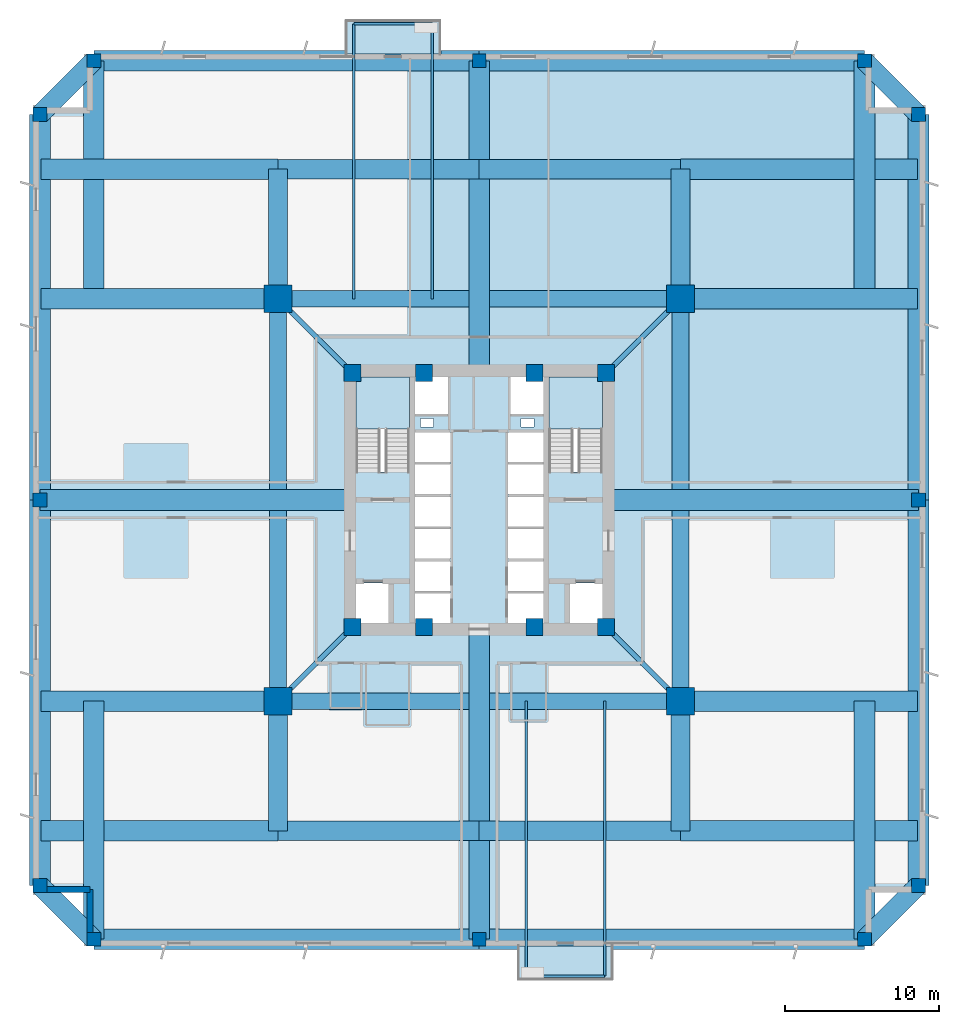
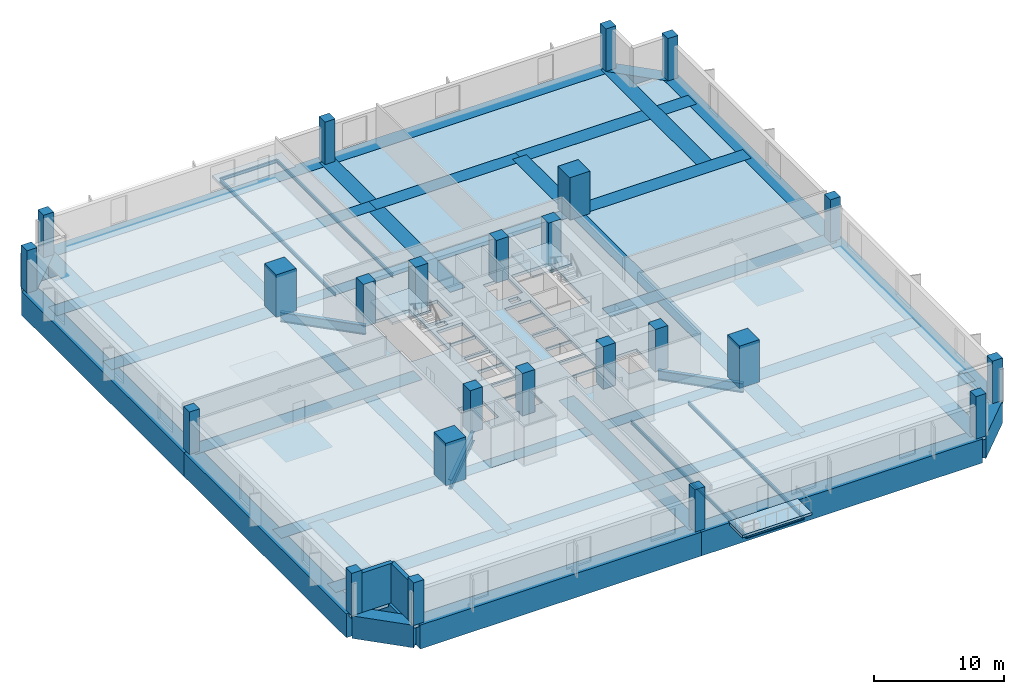
# One storey, part 1 of 9: 50 beams, 24 columns, 5 slabs, 2 walls, 2 elements without a shape of their own.
"""IFC4 building model written with IfcOpenShell, lengths in metres."""

from ifc_helpers import new_model, si_unit, direction, frame, frame_2d, origin, origin_2d, place, context, subcontext, project, spatial, polyline, rectangle, i_section, outline, extrude, source, transform, mapped, material, layer, layer_set, material_profile, profile_set, type_object, element, aggregate, save


model = new_model("IFC4")

# Units and contexts
model_context = context("Model", 3, precision=1e-05, world=origin(), true_north=direction((0.0, 1.0)))
body_context = subcontext(model_context, "Body", "Model", "MODEL_VIEW")
ifc_project = project(units=[si_unit("LENGTHUNIT", "METRE"), si_unit("AREAUNIT", "SQUARE_METRE"), si_unit("VOLUMEUNIT", "CUBIC_METRE"), si_unit("PLANEANGLEUNIT", "RADIAN"), si_unit("MASSUNIT", "GRAM", prefix="KILO"), si_unit("THERMODYNAMICTEMPERATUREUNIT", "KELVIN")], contexts=[model_context])

# Site, building, storey
site_placement = place(None, origin())
site = spatial("IfcSite", under=ifc_project, at=site_placement, CompositionType="ELEMENT")
building_placement = place(site_placement, origin())
building = spatial("IfcBuilding", under=site, at=building_placement, Name="Kosmvard Interchange Tower", CompositionType="ELEMENT")
storey_placement = place(building_placement, frame((0.0, 0.0, 26.0)))
storey = spatial("IfcBuildingStorey", under=building, at=storey_placement, Name="L05", CompositionType="ELEMENT", Elevation=26.0)

# Columns
ifc_material_1 = material(Name="Concrete C80/95", Category="concrete")
ifc_material_profile_1 = material_profile(ifc_material_1, rectangle(XDim=1.10009765625, YDim=1.10009765625, at=origin_2d()), Name="CP 1100x1100")
ifc_profile_set_1 = profile_set([ifc_material_profile_1], Name="Concrete C80/95")
column_type_1 = type_object("IfcColumnType", Name="Core Boundary Pilaster 1100x1100 C80/95", PredefinedType="PILASTER", material=ifc_profile_set_1)
shared_shape_1 = source(origin(), body_context, "Body", "SweptSolid", [
    extrude(rectangle(XDim=1.10009765625, YDim=1.10009765625, at=origin_2d()), origin(), (0.0, 0.0, 1.0), 4.0),
])
for number, where, z_axis, x_axis, name in (
    (1, (-8.25, -8.25, 0.0), (0.0, 0.0, 1.0), (1.0, 0.0, 0.0), "L05 Core Pilaster CP1"),
    (2, (8.25, -8.25, 0.0), (0.0, 0.0, 1.0), (1.0, 0.0, 0.0), "L05 Core Pilaster CP2"),
    (3, (8.25, 8.25, 0.0), (0.0, 0.0, 1.0), (1.0, 0.0, 0.0), "L05 Core Pilaster CP3"),
    (4, (-8.25, 8.25, 0.0), (0.0, 0.0, 1.0), (1.0, 0.0, 0.0), "L05 Core Pilaster CP4"),
    (5, (-3.60009765625, -8.25, 0.0), (0.0, 0.0, 1.0), (1.0, 0.0, 0.0), "L05 Core Pilaster CP5"),
    (6, (3.60009765625, -8.25, 0.0), (0.0, 0.0, 1.0), (1.0, 0.0, 0.0), "L05 Core Pilaster CP6"),
    (7, (-3.60009765625, 8.25, 0.0), (0.0, 0.0, 1.0), (1.0, 0.0, 0.0), "L05 Core Pilaster CP7"),
    (8, (3.60009765625, 8.25, 0.0), (0.0, 0.0, 1.0), (1.0, 0.0, 0.0), "L05 Core Pilaster CP8"),
):
    element("IfcColumn", number, at=place(storey_placement, frame(where, z_axis=z_axis, x_axis=x_axis)), inside=storey, type_object=column_type_1, Name=name, PredefinedType="PILASTER", context=body_context, shape_type="MappedRepresentation", body=[
        mapped(shared_shape_1, transform((0.0, 0.0, 0.0), scale=1.0)),
    ])
ifc_material_profile_2 = material_profile(ifc_material_1, rectangle(XDim=1.800048828125, YDim=1.800048828125, at=origin_2d()), Name="MC 1800x1800")
ifc_profile_set_2 = profile_set([ifc_material_profile_2], Name="Concrete C80/95")
column_type_2 = type_object("IfcColumnType", Name="Composite Mega-Column 1800x1800 C80/95", PredefinedType="COLUMN", material=ifc_profile_set_2)
shared_shape_2 = source(origin(), body_context, "Body", "SweptSolid", [
    extrude(rectangle(XDim=1.800048828125, YDim=1.800048828125, at=origin_2d()), origin(), (0.0, 0.0, 1.0), 4.0),
])
for number, where, z_axis, x_axis, name in (
    (9, (-13.0810546875, -13.0810546875, 0.0), (0.0, 0.0, 1.0), (1.0, 0.0, 0.0), "L05 Corner Mega-Column MC1"),
    (10, (13.0810546875, -13.0810546875, 0.0), (0.0, 0.0, 1.0), (1.0, 0.0, 0.0), "L05 Corner Mega-Column MC2"),
    (11, (13.0810546875, 13.0810546875, 0.0), (0.0, 0.0, 1.0), (1.0, 0.0, 0.0), "L05 Corner Mega-Column MC3"),
    (12, (-13.0810546875, 13.0810546875, 0.0), (0.0, 0.0, 1.0), (1.0, 0.0, 0.0), "L05 Corner Mega-Column MC4"),
):
    element("IfcColumn", number, at=place(storey_placement, frame(where, z_axis=z_axis, x_axis=x_axis)), inside=storey, type_object=column_type_2, Name=name, PredefinedType="COLUMN", context=body_context, shape_type="MappedRepresentation", body=[
        mapped(shared_shape_2, transform((0.0, 0.0, 0.0), scale=1.0)),
    ])
ifc_material_2 = material(Name="Concrete C60/75", Category="concrete")
ifc_material_profile_3 = material_profile(ifc_material_2, rectangle(XDim=0.89990234375, YDim=0.89990234375, at=origin_2d()), Name="TC 900x900")
ifc_profile_set_3 = profile_set([ifc_material_profile_3], Name="Concrete C60/75")
column_type_3 = type_object("IfcColumnType", Name="Zone 1 Perimeter Pier Column 900x900 C60/75", PredefinedType="COLUMN", material=ifc_profile_set_3)
shared_shape_3 = source(origin(), body_context, "Body", "SweptSolid", [
    extrude(rectangle(XDim=0.89990234375, YDim=0.89990234375, at=origin_2d()), origin(), (0.0, 0.0, 1.0), 4.0),
])
for number, where, z_axis, x_axis, name in (
    (13, (-25.050048828125, -28.550048828125, 0.0), (0.0, 0.0, 1.0), (1.0, 0.0, 0.0), "L05 Perimeter Pier Column TC-S1"),
    (14, (0.0, -28.550048828125, 0.0), (0.0, 0.0, 1.0), (1.0, 0.0, 0.0), "L05 Perimeter Pier Column TC-S2"),
    (15, (25.050048828125, -28.550048828125, 0.0), (0.0, 0.0, 1.0), (1.0, 0.0, 0.0), "L05 Perimeter Pier Column TC-S3"),
    (16, (28.550048828125, -25.050048828125, 0.0), (0.0, 0.0, 1.0), (1.0, 0.0, 0.0), "L05 Perimeter Pier Column TC-E1"),
    (17, (28.550048828125, 0.0, 0.0), (0.0, 0.0, 1.0), (1.0, 0.0, 0.0), "L05 Perimeter Pier Column TC-E2"),
    (18, (28.550048828125, 25.050048828125, 0.0), (0.0, 0.0, 1.0), (1.0, 0.0, 0.0), "L05 Perimeter Pier Column TC-E3"),
    (19, (25.050048828125, 28.550048828125, 0.0), (0.0, 0.0, 1.0), (1.0, 0.0, 0.0), "L05 Perimeter Pier Column TC-N1"),
    (20, (0.0, 28.550048828125, 0.0), (0.0, 0.0, 1.0), (1.0, 0.0, 0.0), "L05 Perimeter Pier Column TC-N2"),
    (21, (-25.050048828125, 28.550048828125, 0.0), (0.0, 0.0, 1.0), (1.0, 0.0, 0.0), "L05 Perimeter Pier Column TC-N3"),
    (22, (-28.550048828125, 25.050048828125, 0.0), (0.0, 0.0, 1.0), (1.0, 0.0, 0.0), "L05 Perimeter Pier Column TC-W1"),
    (23, (-28.550048828125, 0.0, 0.0), (0.0, 0.0, 1.0), (1.0, 0.0, 0.0), "L05 Perimeter Pier Column TC-W2"),
    (24, (-28.550048828125, -25.050048828125, 0.0), (0.0, 0.0, 1.0), (1.0, 0.0, 0.0), "L05 Perimeter Pier Column TC-W3"),
):
    element("IfcColumn", number, at=place(storey_placement, frame(where, z_axis=z_axis, x_axis=x_axis)), inside=storey, type_object=column_type_3, Name=name, PredefinedType="COLUMN", context=body_context, shape_type="MappedRepresentation", body=[
        mapped(shared_shape_3, transform((0.0, 0.0, 0.0), scale=1.0)),
    ])

# Beams
ifc_material_3 = material(Name="Steel S460", Category="steel")
ifc_material_profile_4 = material_profile(ifc_material_3, i_section(OverallWidth=0.30810546875, OverallDepth=0.909912109375, WebThickness=0.02099609375, FlangeThickness=0.0400390625, FilletRadius=0.027099609375, at=origin_2d()), Name="HEM 900")
ifc_profile_set_4 = profile_set([ifc_material_profile_4], Name="Steel S460")
beam_type_1 = type_object("IfcBeamType", Name="Primary Mega-Frame Girder HEM 900 S460", PredefinedType="BEAM", material=ifc_profile_set_4)
shared_shape_4 = source(origin(), body_context, "Body", "SweptSolid", [
    extrude(i_section(OverallWidth=0.30810546875, OverallDepth=0.909912109375, WebThickness=0.02099609375, FlangeThickness=0.0400390625, FilletRadius=0.027099609375, at=origin_2d()), origin(), (0.0, 0.0, 1.0), 6.83203125),
])
for number, where, z_axis, x_axis, name in (
    (25, (-8.25, -8.25, -0.735107421875), (-0.707106781187, -0.707106781187, 0.0), (0.707106781187, -0.707106781187, 0.0), "L05 Radial Mega-Frame Girder 1"),
    (26, (8.25, -8.25, -0.735107421875), (0.707106781187, -0.707106781187, 0.0), (0.707106781187, 0.707106781187, 0.0), "L05 Radial Mega-Frame Girder 2"),
    (27, (8.25, 8.25, -0.735107421875), (0.707106781187, 0.707106781187, 0.0), (-0.707106781187, 0.707106781187, 0.0), "L05 Radial Mega-Frame Girder 3"),
    (28, (-8.25, 8.25, -0.735107421875), (-0.707106781187, 0.707106781187, 0.0), (-0.707106781187, -0.707106781187, 0.0), "L05 Radial Mega-Frame Girder 4"),
):
    element("IfcBeam", number, at=place(storey_placement, frame(where, z_axis=z_axis, x_axis=x_axis)), inside=storey, type_object=beam_type_1, Name=name, PredefinedType="BEAM", context=body_context, shape_type="MappedRepresentation", body=[
        mapped(shared_shape_4, transform((0.0, 0.0, 0.0), scale=1.0)),
    ])
ifc_material_4 = material(Name="Concrete C70/85", Category="concrete")
ifc_material_profile_5 = material_profile(ifc_material_4, rectangle(XDim=1.10009765625, YDim=1.43994140625, at=origin_2d()), Name="TG 1100x1440")
ifc_profile_set_5 = profile_set([ifc_material_profile_5], Name="Concrete C70/85")
beam_type_2 = type_object("IfcBeamType", Name="Mega-Frame Transfer Ring Girder 1100x1440 C70/85", PredefinedType="USERDEFINED", material=ifc_profile_set_5)
shared_shape_5 = source(origin(), body_context, "Body", "SweptSolid", [
    extrude(rectangle(XDim=1.10009765625, YDim=1.43994140625, at=origin_2d()), origin(), (0.0, 0.0, 1.0), 26.162109375),
])
for number, where, z_axis, x_axis, name in (
    (29, (-13.0810546875, -13.0810546875, -0.719970703125), (1.0, 0.0, 0.0), (0.0, 1.0, 0.0), "L05 Mega-Column Ring Girder 1"),
    (30, (13.0810546875, -13.0810546875, -0.719970703125), (0.0, 1.0, 0.0), (-1.0, 0.0, 0.0), "L05 Mega-Column Ring Girder 2"),
    (31, (13.0810546875, 13.0810546875, -0.719970703125), (-1.0, 0.0, 0.0), (0.0, -1.0, 0.0), "L05 Mega-Column Ring Girder 3"),
    (32, (-13.0810546875, 13.0810546875, -0.719970703125), (0.0, -1.0, 0.0), (1.0, 0.0, 0.0), "L05 Mega-Column Ring Girder 4"),
):
    element("IfcBeam", number, at=place(storey_placement, frame(where, z_axis=z_axis, x_axis=x_axis)), inside=storey, type_object=beam_type_2, Name=name, ObjectType="TRANSFER_GIRDER", PredefinedType="USERDEFINED", context=body_context, shape_type="MappedRepresentation", body=[
        mapped(shared_shape_5, transform((0.0, 0.0, 0.0), scale=1.0)),
    ])
ifc_material_profile_6 = material_profile(ifc_material_4, rectangle(XDim=1.35009765625, YDim=2.25, at=origin_2d()), Name="TG 1350x2250")
ifc_profile_set_6 = profile_set([ifc_material_profile_6], Name="Concrete C70/85")
beam_type_3 = type_object("IfcBeamType", Name="Podium Long-Span Transfer Girder 1350x2250 C70/85", PredefinedType="USERDEFINED", material=ifc_profile_set_6)
shared_shape_6 = source(origin(), body_context, "Body", "SweptSolid", [
    extrude(rectangle(XDim=1.35009765625, YDim=2.25, at=origin_2d()), origin(), (0.0, 0.0, 1.0), 15.4189453125),
])
for number, where, z_axis, x_axis, name in (
    (33, (-28.5, -13.0810546875, -1.125), (1.0, 0.0, 0.0), (0.0, 1.0, 0.0), "BM-L05-LA-CW1"),
    (34, (-28.5, 13.0810546875, -1.125), (1.0, 0.0, 0.0), (0.0, 1.0, 0.0), "BM-L05-LA-CW2"),
    (35, (13.0810546875, -13.0810546875, -1.125), (1.0, 0.0, 0.0), (0.0, 1.0, 0.0), "BM-L05-LA-CE1"),
    (36, (13.0810546875, 13.0810546875, -1.125), (1.0, 0.0, 0.0), (0.0, 1.0, 0.0), "BM-L05-LA-CE2"),
    (37, (-28.5, -21.5, -1.125), (1.0, 0.0, 0.0), (0.0, 1.0, 0.0), "BM-L05-LA-S1"),
    (38, (13.0810546875, -21.5, -1.125), (1.0, 0.0, 0.0), (0.0, 1.0, 0.0), "BM-L05-LA-S4"),
    (39, (-28.5, 21.5, -1.125), (1.0, 0.0, 0.0), (0.0, 1.0, 0.0), "BM-L05-LA-N1"),
    (40, (13.0810546875, 21.5, -1.125), (1.0, 0.0, 0.0), (0.0, 1.0, 0.0), "BM-L05-LA-N4"),
):
    element("IfcBeam", number, at=place(storey_placement, frame(where, z_axis=z_axis, x_axis=x_axis)), inside=storey, type_object=beam_type_3, Name=name, ObjectType="TRANSFER_GIRDER", PredefinedType="USERDEFINED", context=body_context, shape_type="MappedRepresentation", body=[
        mapped(shared_shape_6, transform((0.0, 0.0, 0.0), scale=1.0)),
    ])
ifc_material_profile_7 = material_profile(ifc_material_4, rectangle(XDim=1.25, YDim=2.1201171875, at=origin_2d()), Name="TG 1250x2120")
ifc_profile_set_7 = profile_set([ifc_material_profile_7], Name="Concrete C70/85")
beam_type_4 = type_object("IfcBeamType", Name="Podium Transfer Girder 1250x2120 C70/85", PredefinedType="USERDEFINED", material=ifc_profile_set_7)
shared_shape_7 = source(origin(), body_context, "Body", "SweptSolid", [
    extrude(rectangle(XDim=1.25, YDim=2.1201171875, at=origin_2d()), origin(), (0.0, 0.0, 1.0), 13.0810546875),
])
for number, where, z_axis, x_axis, name in (
    (41, (-13.0810546875, -21.5, -1.06005859375), (1.0, 0.0, 0.0), (0.0, 1.0, 0.0), "BM-L05-LA-S2"),
    (42, (0.0, -21.5, -1.06005859375), (1.0, 0.0, 0.0), (0.0, 1.0, 0.0), "BM-L05-LA-S3"),
    (43, (-13.0810546875, 21.5, -1.06005859375), (1.0, 0.0, 0.0), (0.0, 1.0, 0.0), "BM-L05-LA-N2"),
    (44, (0.0, 21.5, -1.06005859375), (1.0, 0.0, 0.0), (0.0, 1.0, 0.0), "BM-L05-LA-N3"),
):
    element("IfcBeam", number, at=place(storey_placement, frame(where, z_axis=z_axis, x_axis=x_axis)), inside=storey, type_object=beam_type_4, Name=name, ObjectType="TRANSFER_GIRDER", PredefinedType="USERDEFINED", context=body_context, shape_type="MappedRepresentation", body=[
        mapped(shared_shape_7, transform((0.0, 0.0, 0.0), scale=1.0)),
    ])
shared_shape_8 = source(origin(), body_context, "Body", "SweptSolid", [
    extrude(rectangle(XDim=1.25, YDim=2.1201171875, at=origin_2d()), origin(), (0.0, 0.0, 1.0), 8.4189453125),
])
for number, where, z_axis, x_axis, name in (
    (45, (-13.0810546875, -21.5, -1.06005859375), (0.0, 1.0, 0.0), (-1.0, 0.0, 0.0), "BM-L05-LA-CS1"),
    (46, (13.0810546875, -21.5, -1.06005859375), (0.0, 1.0, 0.0), (-1.0, 0.0, 0.0), "BM-L05-LA-CS2"),
    (47, (-13.0810546875, 21.5, -1.06005859375), (0.0, -1.0, 0.0), (1.0, 0.0, 0.0), "BM-L05-LA-CN1"),
    (48, (13.0810546875, 21.5, -1.06005859375), (0.0, -1.0, 0.0), (1.0, 0.0, 0.0), "BM-L05-LA-CN2"),
):
    element("IfcBeam", number, at=place(storey_placement, frame(where, z_axis=z_axis, x_axis=x_axis)), inside=storey, type_object=beam_type_4, Name=name, ObjectType="TRANSFER_GIRDER", PredefinedType="USERDEFINED", context=body_context, shape_type="MappedRepresentation", body=[
        mapped(shared_shape_8, transform((0.0, 0.0, 0.0), scale=1.0)),
    ])
shared_shape_9 = source(origin(), body_context, "Body", "SweptSolid", [
    extrude(rectangle(XDim=1.35009765625, YDim=2.25, at=origin_2d()), origin(), (0.0, 0.0, 1.0), 15.468994140625),
])
for number, where, z_axis, x_axis, name in (
    (49, (-25.050048828125, -13.0810546875, -1.125), (0.0, -1.0, 0.0), (1.0, 0.0, 0.0), "BM-L05-TG-S1"),
    (50, (25.050048828125, -13.0810546875, -1.125), (0.0, -1.0, 0.0), (1.0, 0.0, 0.0), "BM-L05-TG-S3"),
    (51, (25.050048828125, 13.0810546875, -1.125), (0.0, 1.0, 0.0), (-1.0, 0.0, 0.0), "BM-L05-TG-N1"),
    (52, (-25.050048828125, 13.0810546875, -1.125), (0.0, 1.0, 0.0), (-1.0, 0.0, 0.0), "BM-L05-TG-N3"),
):
    element("IfcBeam", number, at=place(storey_placement, frame(where, z_axis=z_axis, x_axis=x_axis)), inside=storey, type_object=beam_type_3, Name=name, ObjectType="TRANSFER_GIRDER", PredefinedType="USERDEFINED", context=body_context, shape_type="MappedRepresentation", body=[
        mapped(shared_shape_9, transform((0.0, 0.0, 0.0), scale=1.0)),
    ])
shared_shape_10 = source(origin(), body_context, "Body", "SweptSolid", [
    extrude(rectangle(XDim=1.35009765625, YDim=2.25, at=origin_2d()), origin(), (0.0, 0.0, 1.0), 20.150146484375),
])
for number, where, z_axis, x_axis, name in (
    (53, (0.0, -8.39990234375, -1.125), (0.0, -1.0, 0.0), (1.0, 0.0, 0.0), "BM-L05-TG-S2"),
    (54, (0.0, 8.39990234375, -1.125), (0.0, 1.0, 0.0), (-1.0, 0.0, 0.0), "BM-L05-TG-N2"),
    (55, (8.39990234375, 0.0, -1.125), (1.0, 0.0, 0.0), (0.0, 1.0, 0.0), "BM-L05-TG-E2"),
    (56, (-8.39990234375, 0.0, -1.125), (-1.0, 0.0, 0.0), (0.0, -1.0, 0.0), "BM-L05-TG-W2"),
):
    element("IfcBeam", number, at=place(storey_placement, frame(where, z_axis=z_axis, x_axis=x_axis)), inside=storey, type_object=beam_type_3, Name=name, ObjectType="TRANSFER_GIRDER", PredefinedType="USERDEFINED", context=body_context, shape_type="MappedRepresentation", body=[
        mapped(shared_shape_10, transform((0.0, 0.0, 0.0), scale=1.0)),
    ])
shared_shape_11 = source(origin(), body_context, "Body", "SweptSolid", [
    extrude(rectangle(XDim=1.35009765625, YDim=2.25, at=origin_2d()), origin(), (0.0, 0.0, 1.0), 25.050048828125),
])
for number, where, z_axis, x_axis, name in (
    (57, (-25.050048828125, -28.550048828125, -1.125), (1.0, 0.0, 0.0), (0.0, 1.0, 0.0), "BM-L05-PR01"),
    (58, (0.0, -28.550048828125, -1.125), (1.0, 0.0, 0.0), (0.0, 1.0, 0.0), "BM-L05-PR02"),
    (59, (28.550048828125, -25.050048828125, -1.125), (0.0, 1.0, 0.0), (-1.0, 0.0, 0.0), "BM-L05-PR04"),
    (60, (28.550048828125, 0.0, -1.125), (0.0, 1.0, 0.0), (-1.0, 0.0, 0.0), "BM-L05-PR05"),
    (61, (25.050048828125, 28.550048828125, -1.125), (-1.0, 0.0, 0.0), (0.0, -1.0, 0.0), "BM-L05-PR07"),
    (62, (0.0, 28.550048828125, -1.125), (-1.0, 0.0, 0.0), (0.0, -1.0, 0.0), "BM-L05-PR08"),
    (63, (-28.550048828125, 25.050048828125, -1.125), (0.0, -1.0, 0.0), (1.0, 0.0, 0.0), "BM-L05-PR10"),
    (64, (-28.550048828125, 0.0, -1.125), (0.0, -1.0, 0.0), (1.0, 0.0, 0.0), "BM-L05-PR11"),
):
    element("IfcBeam", number, at=place(storey_placement, frame(where, z_axis=z_axis, x_axis=x_axis)), inside=storey, type_object=beam_type_3, Name=name, ObjectType="TRANSFER_GIRDER", PredefinedType="USERDEFINED", context=body_context, shape_type="MappedRepresentation", body=[
        mapped(shared_shape_11, transform((0.0, 0.0, 0.0), scale=1.0)),
    ])
shared_shape_12 = source(origin(), body_context, "Body", "SweptSolid", [
    extrude(rectangle(XDim=1.25, YDim=2.1201171875, at=origin_2d()), origin(), (0.0, 0.0, 1.0), 4.94970703125),
])
for number, where, z_axis, x_axis, name in (
    (65, (25.050048828125, -28.550048828125, -1.06005859375), (0.707106781187, 0.707106781187, 0.0), (-0.707106781187, 0.707106781187, 0.0), "BM-L05-PR03"),
    (66, (28.550048828125, 25.050048828125, -1.06005859375), (-0.707106781187, 0.707106781187, 0.0), (-0.707106781187, -0.707106781187, 0.0), "BM-L05-PR06"),
    (67, (-25.050048828125, 28.550048828125, -1.06005859375), (-0.707106781187, -0.707106781187, 0.0), (0.707106781187, -0.707106781187, 0.0), "BM-L05-PR09"),
    (68, (-28.550048828125, -25.050048828125, -1.06005859375), (0.707106781187, -0.707106781187, 0.0), (0.707106781187, 0.707106781187, 0.0), "BM-L05-PR12"),
):
    element("IfcBeam", number, at=place(storey_placement, frame(where, z_axis=z_axis, x_axis=x_axis)), inside=storey, type_object=beam_type_4, Name=name, ObjectType="TRANSFER_GIRDER", PredefinedType="USERDEFINED", context=body_context, shape_type="MappedRepresentation", body=[
        mapped(shared_shape_12, transform((0.0, 0.0, 0.0), scale=1.0)),
    ])
ifc_material_5 = material(Name="Steel S355", Category="steel")
ifc_material_profile_8 = material_profile(ifc_material_5, i_section(OverallWidth=0.159912109375, OverallDepth=0.330078125, WebThickness=0.007568359375, FlangeThickness=0.011474609375, FilletRadius=0.01806640625, at=origin_2d()), Name="IPE 330")
ifc_profile_set_8 = profile_set([ifc_material_profile_8], Name="Steel S355")
beam_type_5 = type_object("IfcBeamType", Name="Balcony Cantilever Joist IPE 330 S355", PredefinedType="JOIST", material=ifc_profile_set_8)
shared_shape_13 = source(origin(), body_context, "Body", "SweptSolid", [
    extrude(i_section(OverallWidth=0.159912109375, OverallDepth=0.330078125, WebThickness=0.007568359375, FlangeThickness=0.011474609375, FilletRadius=0.01806640625, at=origin_2d()), origin(), (0.0, 0.0, 1.0), 17.868896484375),
])
for number, where, z_axis, x_axis, name in (
    (69, (-3.050048828125, 13.0810546875, -0.445068359375), (0.0, 1.0, 0.0), (-1.0, 0.0, 0.0), "BM-L05-BJ1"),
    (70, (-8.14990234375, 13.0810546875, -0.445068359375), (0.0, 1.0, 0.0), (-1.0, 0.0, 0.0), "BM-L05-BJB1"),
    (71, (3.050048828125, -13.0810546875, -0.445068359375), (0.0, -1.0, 0.0), (1.0, 0.0, 0.0), "BM-L05-BJ2"),
    (72, (8.14990234375, -13.0810546875, -0.445068359375), (0.0, -1.0, 0.0), (1.0, 0.0, 0.0), "BM-L05-BJB2"),
):
    element("IfcBeam", number, at=place(storey_placement, frame(where, z_axis=z_axis, x_axis=x_axis)), inside=storey, type_object=beam_type_5, Name=name, PredefinedType="JOIST", context=body_context, shape_type="MappedRepresentation", body=[
        mapped(shared_shape_13, transform((0.0, 0.0, 0.0), scale=1.0)),
    ])
ifc_material_profile_9 = material_profile(ifc_material_5, i_section(OverallWidth=0.14990234375, OverallDepth=0.300048828125, WebThickness=0.007080078125, FlangeThickness=0.0107421875, FilletRadius=0.014892578125, at=origin_2d()), Name="IPE 300")
ifc_profile_set_9 = profile_set([ifc_material_profile_9], Name="Steel S355")
beam_type_6 = type_object("IfcBeamType", Name="Balcony Edge Header Joist IPE 300 S355", PredefinedType="JOIST", material=ifc_profile_set_9)
shared_shape_14 = source(origin(), body_context, "Body", "SweptSolid", [
    extrude(i_section(OverallWidth=0.14990234375, OverallDepth=0.300048828125, WebThickness=0.007080078125, FlangeThickness=0.0107421875, FilletRadius=0.014892578125, at=origin_2d()), origin(), (0.0, 0.0, 1.0), 5.099853515625),
])
for number, where, z_axis, x_axis, name in (
    (73, (-3.050048828125, 30.949951171875, -0.429931640625), (-1.0, 0.0, 0.0), (0.0, -1.0, 0.0), "BM-L05-BJH1"),
    (74, (3.050048828125, -30.949951171875, -0.429931640625), (1.0, 0.0, 0.0), (0.0, 1.0, 0.0), "BM-L05-BJH2"),
):
    element("IfcBeam", number, at=place(storey_placement, frame(where, z_axis=z_axis, x_axis=x_axis)), inside=storey, type_object=beam_type_6, Name=name, PredefinedType="JOIST", context=body_context, shape_type="MappedRepresentation", body=[
        mapped(shared_shape_14, transform((0.0, 0.0, 0.0), scale=1.0)),
    ])

# Slab
ifc_material_6 = material(Name="Concrete C50/60", Category="concrete")
ifc_layer_1 = layer(ifc_material_6, 0.280029296875, Name="Concrete C50/60")
ifc_layer_set_1 = layer_set([ifc_layer_1], Name="Concrete C50/60")
slab_type_1 = type_object("IfcSlabType", Name="Low-Rise Office Composite Slab 280 C50/60", PredefinedType="FLOOR", material=ifc_layer_set_1)
slab_1_placement = place(storey_placement, frame((0.0, 0.0, -0.280029296875)))
element("IfcSlab", 75, at=slab_1_placement, inside=storey, type_object=slab_type_1, Name="L05 Structural Floor Slab", PredefinedType="FLOOR", context=body_context, shape_type="SweptSolid", body=[
    extrude(outline(polyline([(-25.5, -29.0), (25.5, -29.0), (25.5, -25.5), (29.0, -25.5), (29.0, 25.5), (25.5, 25.5), (25.5, 29.0), (-25.5, 29.0), (-25.5, 25.5), (-29.0, 25.5), (-29.0, -25.5), (-25.5, -25.5), (-25.5, -29.0)]), holes=[polyline([(-8.0, 1.8349609375), (-4.5400390625, 1.8349609375), (-4.5400390625, 8.0), (-8.0, 8.0), (-8.0, 1.8349609375)]), polyline([(4.5400390625, 1.8349609375), (8.0, 1.8349609375), (8.0, 8.0), (4.5400390625, 8.0), (4.5400390625, 1.8349609375)]), polyline([(-8.0, -8.0), (-5.800048828125, -8.0), (-5.800048828125, -5.39990234375), (-8.0, -5.39990234375), (-8.0, -8.0)]), polyline([(5.800048828125, -8.0), (8.0, -8.0), (8.0, -5.39990234375), (5.800048828125, -5.39990234375), (5.800048828125, -8.0)]), polyline([(-4.179931640625, -8.0), (-1.8798828125, -8.0), (-1.8798828125, -6.06005859375), (-4.179931640625, -6.06005859375), (-4.179931640625, -8.0)]), polyline([(-4.179931640625, -5.93994140625), (-1.8798828125, -5.93994140625), (-1.8798828125, -4.0), (-4.179931640625, -4.0), (-4.179931640625, -5.93994140625)]), polyline([(1.8798828125, -8.0), (4.179931640625, -8.0), (4.179931640625, -6.06005859375), (1.8798828125, -6.06005859375), (1.8798828125, -8.0)]), polyline([(1.8798828125, -5.93994140625), (4.179931640625, -5.93994140625), (4.179931640625, -4.0), (1.8798828125, -4.0), (1.8798828125, -5.93994140625)]), polyline([(-4.179931640625, -3.800048828125), (-1.8798828125, -3.800048828125), (-1.8798828125, -1.860107421875), (-4.179931640625, -1.860107421875), (-4.179931640625, -3.800048828125)]), polyline([(-4.179931640625, -1.739990234375), (-1.8798828125, -1.739990234375), (-1.8798828125, 0.199951171875), (-4.179931640625, 0.199951171875), (-4.179931640625, -1.739990234375)]), polyline([(1.8798828125, -3.800048828125), (4.179931640625, -3.800048828125), (4.179931640625, -1.860107421875), (1.8798828125, -1.860107421875), (1.8798828125, -3.800048828125)]), polyline([(1.8798828125, -1.739990234375), (4.179931640625, -1.739990234375), (4.179931640625, 0.199951171875), (1.8798828125, 0.199951171875), (1.8798828125, -1.739990234375)]), polyline([(-4.179931640625, 0.39990234375), (-1.8798828125, 0.39990234375), (-1.8798828125, 2.340087890625), (-4.179931640625, 2.340087890625), (-4.179931640625, 0.39990234375)]), polyline([(-4.179931640625, 2.4599609375), (-1.8798828125, 2.4599609375), (-1.8798828125, 4.39990234375), (-4.179931640625, 4.39990234375), (-4.179931640625, 2.4599609375)]), polyline([(1.8798828125, 0.39990234375), (4.179931640625, 0.39990234375), (4.179931640625, 2.340087890625), (1.8798828125, 2.340087890625), (1.8798828125, 0.39990234375)]), polyline([(1.8798828125, 2.4599609375), (4.179931640625, 2.4599609375), (4.179931640625, 4.39990234375), (1.8798828125, 4.39990234375), (1.8798828125, 2.4599609375)]), polyline([(-4.179931640625, 5.60009765625), (-2.0400390625, 5.60009765625), (-2.0400390625, 8.0), (-4.179931640625, 8.0), (-4.179931640625, 5.60009765625)]), polyline([(2.0400390625, 5.60009765625), (4.179931640625, 5.60009765625), (4.179931640625, 8.0), (2.0400390625, 8.0), (2.0400390625, 5.60009765625)]), polyline([(-3.81494140625, 4.739990234375), (-2.965087890625, 4.739990234375), (-2.965087890625, 5.2900390625), (-3.81494140625, 5.2900390625), (-3.81494140625, 4.739990234375)]), polyline([(2.715087890625, 4.739990234375), (3.56494140625, 4.739990234375), (3.56494140625, 5.2900390625), (2.715087890625, 5.2900390625), (2.715087890625, 4.739990234375)])]), origin(), (0.0, 0.0, 1.0), 0.280029296875),
])

# Stair, slab
stair_type = type_object("IfcStairType", Name="Dog-Leg Core Exit Stair H4000 C50/60", PredefinedType="HALF_TURN_STAIR", material=ifc_material_6)
stair_1_placement = place(storey_placement, origin())
stair_1 = element("IfcStair", 76, at=stair_1_placement, inside=storey, type_object=stair_type, Name="L05 Protected Exit Stair ST-1", PredefinedType="HALF_TURN_STAIR")
ifc_layer_2 = layer(ifc_material_6, 0.199951171875, Name="Concrete C50/60")
ifc_layer_set_2 = layer_set([ifc_layer_2], Name="Concrete C50/60")
slab_type_2 = type_object("IfcSlabType", Name="Stair Half-Landing Slab 200 C50/60", PredefinedType="LANDING", material=ifc_layer_set_2)
slab_2_placement = place(storey_placement, frame((0.0, 0.0, 1.800048828125)))
slab_2 = element("IfcSlab", 77, at=slab_2_placement, type_object=slab_type_2, Name="ST-1 landing 1", PredefinedType="LANDING", context=body_context, shape_type="SweptSolid", body=[
    extrude(outline(polyline([(-4.5400390625, 4.60009765625), (-4.5400390625, 8.0), (-8.0, 8.0), (-8.0, 4.60009765625), (-4.5400390625, 4.60009765625)])), origin(), (0.0, 0.0, 1.0), 0.199951171875),
])
aggregate(stair_1, [slab_2])

stair_2_placement = place(storey_placement, origin())
stair_2 = element("IfcStair", 78, at=stair_2_placement, inside=storey, type_object=stair_type, Name="L05 Protected Exit Stair ST-2", PredefinedType="HALF_TURN_STAIR")
slab_3_placement = place(storey_placement, frame((0.0, 0.0, 1.800048828125)))
slab_3 = element("IfcSlab", 79, at=slab_3_placement, type_object=slab_type_2, Name="ST-2 landing 1", PredefinedType="LANDING", context=body_context, shape_type="SweptSolid", body=[
    extrude(outline(polyline([(8.0, 4.60009765625), (8.0, 8.0), (4.5400390625, 8.0), (4.5400390625, 4.60009765625), (8.0, 4.60009765625)])), origin(), (0.0, 0.0, 1.0), 0.199951171875),
])
aggregate(stair_2, [slab_3])

# Slabs
ifc_layer_3 = layer(ifc_material_6, 0.22998046875, Name="Concrete C50/60")
ifc_layer_set_3 = layer_set([ifc_layer_3], Name="Concrete C50/60")
slab_type_3 = type_object("IfcSlabType", Name="Tree-Planter Cantilever Balcony Slab 230 C50/60", PredefinedType="FLOOR", material=ifc_layer_set_3)
slab_4_placement = place(storey_placement, frame((0.0, 0.0, -0.22998046875)))
element("IfcSlab", 80, at=slab_4_placement, inside=storey, type_object=slab_type_3, Name="L05 Outdoor Terrace Balcony Slab BAL-L05-NE", PredefinedType="FLOOR", context=body_context, shape_type="SweptSolid", body=[
    extrude(outline(polyline([(-8.699951171875, 29.0), (-2.5, 29.0), (-2.5, 31.199951171875), (-8.699951171875, 31.199951171875), (-8.699951171875, 29.0)])), origin(), (0.0, 0.0, 1.0), 0.22998046875),
])
slab_5_placement = place(storey_placement, frame((0.0, 0.0, -0.22998046875)))
element("IfcSlab", 81, at=slab_5_placement, inside=storey, type_object=slab_type_3, Name="L05 Outdoor Terrace Balcony Slab BAL-L05-SW", PredefinedType="FLOOR", context=body_context, shape_type="SweptSolid", body=[
    extrude(outline(polyline([(2.5, -31.199951171875), (8.699951171875, -31.199951171875), (8.699951171875, -29.0), (2.5, -29.0), (2.5, -31.199951171875)])), origin(), (0.0, 0.0, 1.0), 0.22998046875),
])

# Walls
ifc_material_7 = material(Name="Precast concrete C45/55", Category="concrete")
ifc_layer_4 = layer(ifc_material_7, 0.3798828125, Name="Precast concrete C45/55")
ifc_layer_set_4 = layer_set([ifc_layer_4], Name="Precast concrete C45/55")
wall_type = type_object("IfcWallType", Name="Lower Tower Precast Pier Wall 380 C45/55", PredefinedType="STANDARD", material=ifc_layer_set_4)
wall_1_placement = place(storey_placement, frame((-28.81005859375, -25.31005859375, 0.0), z_axis=(0.0, 0.0, 1.0), x_axis=(1.0, 0.0, 0.0)))
element("IfcWall", 82, at=wall_1_placement, inside=storey, type_object=wall_type, Name="L05 Precast Facade Wall N-SW1", PredefinedType="STANDARD", context=body_context, shape_type="SweptSolid", body=[
    extrude(rectangle(XDim=3.5, YDim=0.3798828125, at=frame_2d((1.75, 0.0))), origin(), (0.0, 0.0, 1.0), 3.719970703125),
])
wall_2_placement = place(storey_placement, frame((-25.31005859375, -25.31005859375, 0.0), z_axis=(0.0, 0.0, 1.0), x_axis=(0.0, -1.0, 0.0)))
element("IfcWall", 83, at=wall_2_placement, inside=storey, type_object=wall_type, Name="L05 Precast Facade Wall N-SW2", PredefinedType="STANDARD", context=body_context, shape_type="SweptSolid", body=[
    extrude(rectangle(XDim=3.68994140625, YDim=0.3798828125, at=frame_2d((1.844970703125, 0.0))), origin(), (0.0, 0.0, 1.0), 3.719970703125),
])

save(model, "model.ifc")
